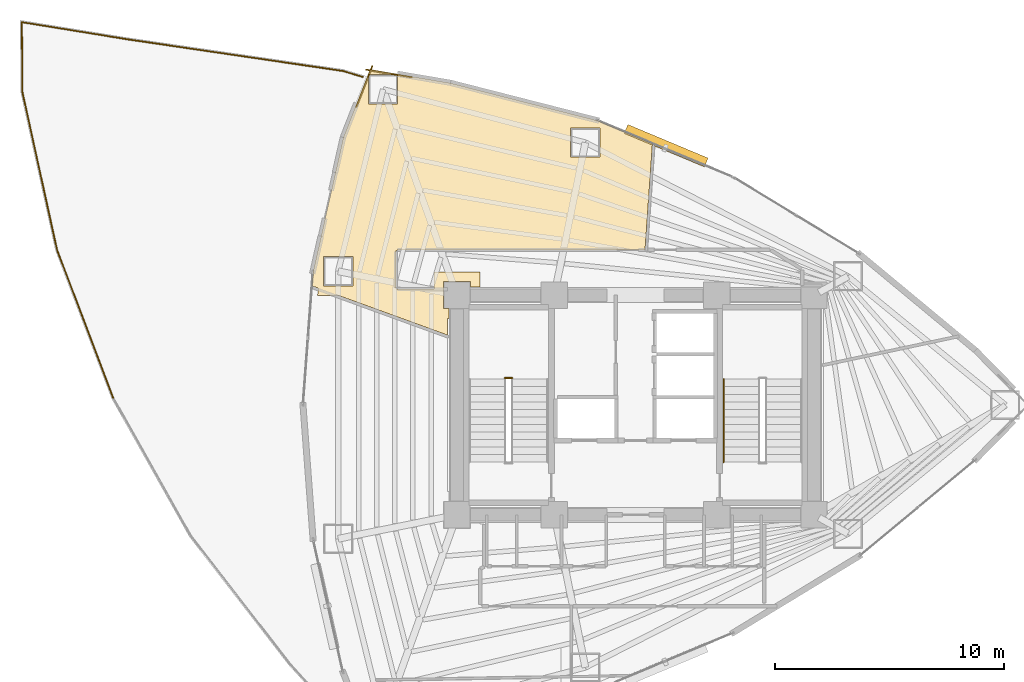
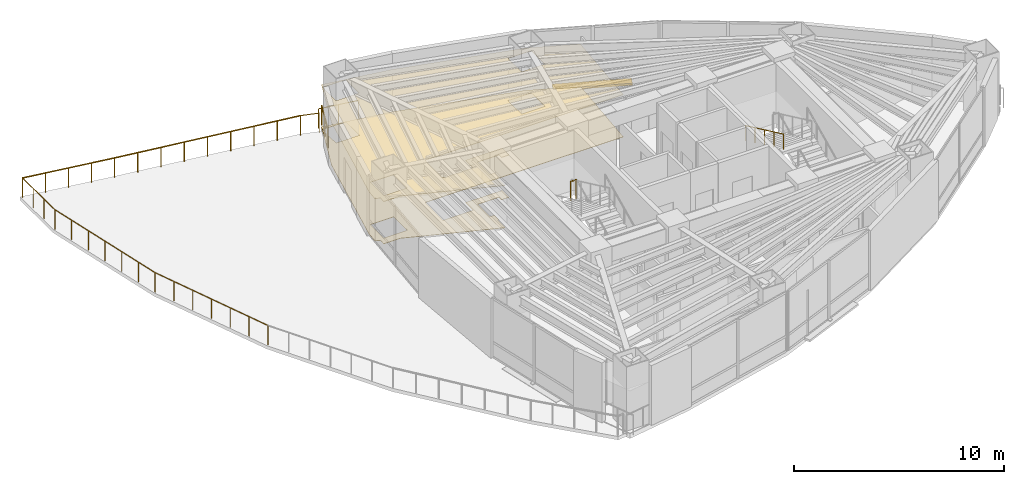
# One storey, part 18 of 19: 10 railings, 2 coverings, 1 shading device.
"""IFC4 building model written with IfcOpenShell, lengths in metres."""

from ifc_helpers import new_model, si_unit, direction, frame, origin, origin_2d, place, context, subcontext, project, spatial, polyline, rectangle, circle, outline, extrude, material, layer, layer_set, type_object, element, save


model = new_model("IFC4")

# Units and contexts
model_context = context("Model", 3, precision=1e-05, world=origin(), true_north=direction((0.0, 1.0)))
body_context = subcontext(model_context, "Body", "Model", "MODEL_VIEW")
ifc_project = project(units=[si_unit("LENGTHUNIT", "METRE"), si_unit("AREAUNIT", "SQUARE_METRE"), si_unit("VOLUMEUNIT", "CUBIC_METRE"), si_unit("PLANEANGLEUNIT", "RADIAN"), si_unit("MASSUNIT", "GRAM", prefix="KILO")], contexts=[model_context])

# Site, building, storey
site_placement = place(None, origin())
site = spatial("IfcSite", under=ifc_project, at=site_placement, CompositionType="ELEMENT")
building_placement = place(site_placement, origin())
building = spatial("IfcBuilding", under=site, at=building_placement, Name="Menara Vayukalpa", CompositionType="ELEMENT")
storey_placement = place(building_placement, frame((0.0, 0.0, 118.860107421875)))
storey = spatial("IfcBuildingStorey", under=building, at=storey_placement, Name="L29", CompositionType="ELEMENT", Elevation=118.860107421875)

# Coverings
ifc_material_1 = material(Name="Mineral Fibre Acoustic Ceiling Tile", Category="masonry")
ifc_layer_1 = layer(ifc_material_1, 0.02490234375)
ifc_layer_set_1 = layer_set([ifc_layer_1], Name="Mineral Fibre Acoustic Ceiling Tile")
covering_type_1 = type_object("IfcCoveringType", Name="COV-CLG1", PredefinedType="CEILING", material=ifc_layer_set_1)
covering_1_placement = place(storey_placement, frame((0.0, 0.0, 2.449951171875)))
element("IfcCovering", 1, at=covering_1_placement, inside=storey, type_object=covering_type_1, Name="L29 Digital Engineering Lab Acoustic Ceiling", PredefinedType="CEILING", context=body_context, shape_type="SweptSolid", body=[
    extrude(outline(polyline([(18.81005859375, 27.14990234375), (18.389892578125, 27.14990234375), (18.389892578125, 27.389892578125), (17.2099609375, 27.389892578125), (17.2099609375, 26.2099609375), (17.449951171875, 26.2099609375), (17.449951171875, 25.7900390625), (17.389892578125, 25.7900390625), (17.389892578125, 25.06640625), (17.389892578125, 25.065185546875), (17.389892578125, 25.064453125), (17.3896484375, 25.0634765625), (17.389404296875, 25.0625), (17.388916015625, 25.061767578125), (17.388427734375, 25.060791015625), (17.3876953125, 25.06005859375), (17.38720703125, 25.059326171875), (17.386474609375, 25.05859375), (17.3857421875, 25.05810546875), (17.385009765625, 25.0576171875), (17.384033203125, 25.05712890625), (17.38330078125, 25.056884765625), (17.382080078125, 25.056640625), (17.38134765625, 25.056396484375), (17.38037109375, 25.056396484375), (17.37939453125, 25.056396484375), (17.37841796875, 25.056396484375), (17.37744140625, 25.056640625), (17.376708984375, 25.056884765625), (12.626708984375, 26.78564453125), (11.7080078125, 26.78564453125), (11.732421875, 27.111328125), (11.475830078125, 27.20458984375), (11.47509765625, 27.205078125), (11.47412109375, 27.20556640625), (11.473388671875, 27.2060546875), (11.472412109375, 27.206787109375), (11.4716796875, 27.20751953125), (11.47119140625, 27.208251953125), (11.470703125, 27.208984375), (11.47021484375, 27.2099609375), (11.4697265625, 27.210693359375), (11.469482421875, 27.2119140625), (11.469482421875, 27.212890625), (11.46923828125, 27.2138671875), (11.46923828125, 27.214599609375), (11.516357421875, 27.843505859375), (11.5166015625, 27.844970703125), (12.831298828125, 33.687744140625), (12.83154296875, 33.6884765625), (12.831787109375, 33.689208984375), (13.997314453125, 36.6572265625), (13.997802734375, 36.658203125), (13.998291015625, 36.658935546875), (13.998779296875, 36.659912109375), (13.99951171875, 36.660400390625), (14.000244140625, 36.6611328125), (14.0009765625, 36.661865234375), (14.001708984375, 36.662353515625), (14.002685546875, 36.66259765625), (14.003662109375, 36.6630859375), (14.00439453125, 36.663330078125), (14.005615234375, 36.66357421875), (14.00634765625, 36.66357421875), (14.00732421875, 36.66357421875), (14.00830078125, 36.66357421875), (17.5078125, 36.0693359375), (17.5087890625, 36.069091796875), (23.903564453125, 34.438232421875), (23.90478515625, 34.437744140625), (26.331787109375, 33.422607421875), (26.33251953125, 33.422119140625), (26.33349609375, 33.421630859375), (26.334228515625, 33.421142578125), (26.3349609375, 33.42041015625), (26.335693359375, 33.419921875), (26.336181640625, 33.4189453125), (26.336669921875, 33.418212890625), (26.337158203125, 33.41748046875), (26.33740234375, 33.41650390625), (26.337646484375, 33.41552734375), (26.337890625, 33.41455078125), (26.337890625, 33.413818359375), (26.337890625, 33.41259765625), (26.013916015625, 28.779296875), (26.013916015625, 28.7783203125), (26.013427734375, 28.77734375), (26.01318359375, 28.7763671875), (26.0126953125, 28.775390625), (26.01220703125, 28.774658203125), (26.01171875, 28.773681640625), (26.010986328125, 28.77294921875), (26.01025390625, 28.7724609375), (26.009521484375, 28.771728515625), (26.0087890625, 28.771240234375), (26.0078125, 28.770751953125), (26.0068359375, 28.7705078125), (26.005859375, 28.770263671875), (26.0048828125, 28.77001953125), (26.00390625, 28.77001953125), (15.2001953125, 28.77001953125), (15.193115234375, 28.76953125), (15.186279296875, 28.768798828125), (15.1796875, 28.76708984375), (15.173095703125, 28.7646484375), (15.1669921875, 28.76171875), (15.1611328125, 28.75830078125), (15.155517578125, 28.75390625), (15.150390625, 28.74951171875), (15.14599609375, 28.744384765625), (15.141845703125, 28.73876953125), (15.13818359375, 28.73291015625), (15.13525390625, 28.726806640625), (15.133056640625, 28.72021484375), (15.13134765625, 28.713623046875), (15.13037109375, 28.706787109375), (15.1298828125, 28.69970703125), (15.1298828125, 27.140380859375), (15.13037109375, 27.13330078125), (15.13134765625, 27.126220703125), (15.133056640625, 27.11962890625), (15.13525390625, 27.11328125), (15.13818359375, 27.10693359375), (15.141845703125, 27.101318359375), (15.14599609375, 27.095458984375), (15.150390625, 27.090576171875), (15.155517578125, 27.0859375), (15.1611328125, 27.081787109375), (15.1669921875, 27.078125), (15.173095703125, 27.0751953125), (15.1796875, 27.072998046875), (15.186279296875, 27.0712890625), (15.193115234375, 27.0703125), (15.2001953125, 27.070068359375), (16.7900390625, 27.070068359375), (16.7900390625, 27.81005859375), (18.81005859375, 27.81005859375), (18.81005859375, 27.14990234375)]), holes=[polyline([(13.24658203125, 28.485595703125), (11.966552734375, 28.485595703125), (11.966552734375, 27.205810546875), (13.24658203125, 27.205810546875), (13.24658203125, 28.485595703125)]), polyline([(15.208984375, 36.4375), (13.92919921875, 36.4375), (13.92919921875, 35.157470703125), (15.208984375, 35.157470703125), (15.208984375, 36.4375)]), polyline([(24.048095703125, 32.827392578125), (24.048095703125, 34.107421875), (22.768310546875, 34.107421875), (22.768310546875, 32.827392578125), (24.048095703125, 32.827392578125)])]), origin(), (0.0, 0.0, 1.0), 0.02490234375),
])
ifc_material_2 = material(Name="Porcelain Stoneware Floor Tile", Category="masonry")
ifc_layer_2 = layer(ifc_material_2, 0.02001953125)
ifc_layer_set_2 = layer_set([ifc_layer_2], Name="Porcelain Stoneware Floor Tile")
covering_type_2 = type_object("IfcCoveringType", Name="COV-FLR1", PredefinedType="FLOORING", material=ifc_layer_set_2)
covering_2_placement = place(storey_placement, origin())
element("IfcCovering", 2, at=covering_2_placement, inside=storey, type_object=covering_type_2, Name="L29 Digital Engineering Lab Porcelain Flooring", PredefinedType="FLOORING", context=body_context, shape_type="SweptSolid", body=[
    extrude(outline(polyline([(18.81005859375, 27.14990234375), (18.389892578125, 27.14990234375), (18.389892578125, 27.389892578125), (17.2099609375, 27.389892578125), (17.2099609375, 26.2099609375), (17.449951171875, 26.2099609375), (17.449951171875, 25.7900390625), (17.389892578125, 25.7900390625), (17.389892578125, 25.06640625), (17.389892578125, 25.065185546875), (17.389892578125, 25.064453125), (17.3896484375, 25.0634765625), (17.389404296875, 25.0625), (17.388916015625, 25.061767578125), (17.388427734375, 25.060791015625), (17.3876953125, 25.06005859375), (17.38720703125, 25.059326171875), (17.386474609375, 25.05859375), (17.3857421875, 25.05810546875), (17.385009765625, 25.0576171875), (17.384033203125, 25.05712890625), (17.38330078125, 25.056884765625), (17.382080078125, 25.056640625), (17.38134765625, 25.056396484375), (17.38037109375, 25.056396484375), (17.37939453125, 25.056396484375), (17.37841796875, 25.056396484375), (17.37744140625, 25.056640625), (17.376708984375, 25.056884765625), (12.626708984375, 26.78564453125), (11.7080078125, 26.78564453125), (11.732421875, 27.111328125), (11.475830078125, 27.20458984375), (11.47509765625, 27.205078125), (11.47412109375, 27.20556640625), (11.473388671875, 27.2060546875), (11.472412109375, 27.206787109375), (11.4716796875, 27.20751953125), (11.47119140625, 27.208251953125), (11.470703125, 27.208984375), (11.47021484375, 27.2099609375), (11.4697265625, 27.210693359375), (11.469482421875, 27.2119140625), (11.469482421875, 27.212890625), (11.46923828125, 27.2138671875), (11.46923828125, 27.214599609375), (11.516357421875, 27.843505859375), (11.5166015625, 27.844970703125), (12.831298828125, 33.687744140625), (12.83154296875, 33.6884765625), (12.831787109375, 33.689208984375), (13.997314453125, 36.6572265625), (13.997802734375, 36.658203125), (13.998291015625, 36.658935546875), (13.998779296875, 36.659912109375), (13.99951171875, 36.660400390625), (14.000244140625, 36.6611328125), (14.0009765625, 36.661865234375), (14.001708984375, 36.662353515625), (14.002685546875, 36.66259765625), (14.003662109375, 36.6630859375), (14.00439453125, 36.663330078125), (14.005615234375, 36.66357421875), (14.00634765625, 36.66357421875), (14.00732421875, 36.66357421875), (14.00830078125, 36.66357421875), (17.5078125, 36.0693359375), (17.5087890625, 36.069091796875), (23.903564453125, 34.438232421875), (23.90478515625, 34.437744140625), (26.331787109375, 33.422607421875), (26.33251953125, 33.422119140625), (26.33349609375, 33.421630859375), (26.334228515625, 33.421142578125), (26.3349609375, 33.42041015625), (26.335693359375, 33.419921875), (26.336181640625, 33.4189453125), (26.336669921875, 33.418212890625), (26.337158203125, 33.41748046875), (26.33740234375, 33.41650390625), (26.337646484375, 33.41552734375), (26.337890625, 33.41455078125), (26.337890625, 33.413818359375), (26.337890625, 33.41259765625), (26.013916015625, 28.779296875), (26.013916015625, 28.7783203125), (26.013427734375, 28.77734375), (26.01318359375, 28.7763671875), (26.0126953125, 28.775390625), (26.01220703125, 28.774658203125), (26.01171875, 28.773681640625), (26.010986328125, 28.77294921875), (26.01025390625, 28.7724609375), (26.009521484375, 28.771728515625), (26.0087890625, 28.771240234375), (26.0078125, 28.770751953125), (26.0068359375, 28.7705078125), (26.005859375, 28.770263671875), (26.0048828125, 28.77001953125), (26.00390625, 28.77001953125), (15.2001953125, 28.77001953125), (15.193115234375, 28.76953125), (15.186279296875, 28.768798828125), (15.1796875, 28.76708984375), (15.173095703125, 28.7646484375), (15.1669921875, 28.76171875), (15.1611328125, 28.75830078125), (15.155517578125, 28.75390625), (15.150390625, 28.74951171875), (15.14599609375, 28.744384765625), (15.141845703125, 28.73876953125), (15.13818359375, 28.73291015625), (15.13525390625, 28.726806640625), (15.133056640625, 28.72021484375), (15.13134765625, 28.713623046875), (15.13037109375, 28.706787109375), (15.1298828125, 28.69970703125), (15.1298828125, 27.140380859375), (15.13037109375, 27.13330078125), (15.13134765625, 27.126220703125), (15.133056640625, 27.11962890625), (15.13525390625, 27.11328125), (15.13818359375, 27.10693359375), (15.141845703125, 27.101318359375), (15.14599609375, 27.095458984375), (15.150390625, 27.090576171875), (15.155517578125, 27.0859375), (15.1611328125, 27.081787109375), (15.1669921875, 27.078125), (15.173095703125, 27.0751953125), (15.1796875, 27.072998046875), (15.186279296875, 27.0712890625), (15.193115234375, 27.0703125), (15.2001953125, 27.070068359375), (16.7900390625, 27.070068359375), (16.7900390625, 27.81005859375), (18.81005859375, 27.81005859375), (18.81005859375, 27.14990234375)]), holes=[polyline([(13.24658203125, 28.485595703125), (11.966552734375, 28.485595703125), (11.966552734375, 27.205810546875), (13.24658203125, 27.205810546875), (13.24658203125, 28.485595703125)]), polyline([(15.208984375, 36.4375), (13.92919921875, 36.4375), (13.92919921875, 35.157470703125), (15.208984375, 35.157470703125), (15.208984375, 36.4375)]), polyline([(24.048095703125, 32.827392578125), (24.048095703125, 34.107421875), (22.768310546875, 34.107421875), (22.768310546875, 32.827392578125), (24.048095703125, 32.827392578125)])]), origin(), (0.0, 0.0, 1.0), 0.019775390625),
])

# Railings
ifc_material_3 = material(Name="Laminated Glass and Stainless Steel 316 Guardrail", Category="steel")
railing_type_1 = type_object("IfcRailingType", Name="RLG-EXT115", PredefinedType="GUARDRAIL", material=ifc_material_3)
railing_1_placement = place(storey_placement, frame((2.7734375, 22.314697265625, 0.0)))
element("IfcRailing", 3, at=railing_1_placement, inside=storey, type_object=railing_type_1, Name="L29 Sky Terrace Perimeter Guardrail 04", PredefinedType="GUARDRAIL", context=body_context, shape_type="SweptSolid", body=[
    extrude(circle(Radius=0.02392578125, at=origin_2d()), frame((0.0, 0.0, 1.1259765625), z_axis=(-0.354750019627, 0.934961188272, 0.0), x_axis=(-0.934961188272, -0.354750019627, 0.0)), (0.0, 0.0, 1.0), 6.9150390625),
    extrude(circle(Radius=0.02099609375, at=origin_2d()), origin(), (0.0, 0.0, 1.0), 1.101806640625),
    extrude(circle(Radius=0.02099609375, at=origin_2d()), frame((-0.408935546875, 1.07763671875, 0.0)), (0.0, 0.0, 1.0), 1.101806640625),
    extrude(circle(Radius=0.02099609375, at=origin_2d()), frame((-0.817626953125, 2.155029296875, 0.0)), (0.0, 0.0, 1.0), 1.101806640625),
    extrude(circle(Radius=0.02099609375, at=origin_2d()), frame((-1.2265625, 3.232666015625, 0.0)), (0.0, 0.0, 1.0), 1.101806640625),
    extrude(circle(Radius=0.02099609375, at=origin_2d()), frame((-1.635498046875, 4.310302734375, 0.0)), (0.0, 0.0, 1.0), 1.101806640625),
    extrude(circle(Radius=0.02099609375, at=origin_2d()), frame((-2.044189453125, 5.3876953125, 0.0)), (0.0, 0.0, 1.0), 1.101806640625),
    extrude(circle(Radius=0.02099609375, at=origin_2d()), frame((-2.453125, 6.46533203125, 0.0)), (0.0, 0.0, 1.0), 1.101806640625),
])
railing_2_placement = place(storey_placement, frame((0.3203125, 28.780029296875, 0.0)))
element("IfcRailing", 4, at=railing_2_placement, inside=storey, type_object=railing_type_1, Name="L29 Sky Terrace Perimeter Guardrail 05", PredefinedType="GUARDRAIL", context=body_context, shape_type="SweptSolid", body=[
    extrude(circle(Radius=0.02392578125, at=origin_2d()), frame((0.0, 0.0, 1.1259765625), z_axis=(-0.214493318835, 0.976725455886, 0.0), x_axis=(-0.976725455886, -0.214493318835, 0.0)), (0.0, 0.0, 1.0), 7.066162109375),
    extrude(circle(Radius=0.02099609375, at=origin_2d()), origin(), (0.0, 0.0, 1.0), 1.101806640625),
    extrude(circle(Radius=0.02099609375, at=origin_2d()), frame((-0.252685546875, 1.150390625, 0.0)), (0.0, 0.0, 1.0), 1.101806640625),
    extrude(circle(Radius=0.02099609375, at=origin_2d()), frame((-0.505126953125, 2.300537109375, 0.0)), (0.0, 0.0, 1.0), 1.101806640625),
    extrude(circle(Radius=0.02099609375, at=origin_2d()), frame((-0.7578125, 3.45068359375, 0.0)), (0.0, 0.0, 1.0), 1.101806640625),
    extrude(circle(Radius=0.02099609375, at=origin_2d()), frame((-1.010498046875, 4.60107421875, 0.0)), (0.0, 0.0, 1.0), 1.101806640625),
    extrude(circle(Radius=0.02099609375, at=origin_2d()), frame((-1.262939453125, 5.75146484375, 0.0)), (0.0, 0.0, 1.0), 1.101806640625),
    extrude(circle(Radius=0.02099609375, at=origin_2d()), frame((-1.515625, 6.901611328125, 0.0)), (0.0, 0.0, 1.0), 1.101806640625),
])
railing_3_placement = place(storey_placement, frame((-1.1953125, 35.681640625, 0.0)))
element("IfcRailing", 5, at=railing_3_placement, inside=storey, type_object=railing_type_1, Name="L29 Sky Terrace Perimeter Guardrail 06", PredefinedType="GUARDRAIL", context=body_context, shape_type="SweptSolid", body=[
    extrude(circle(Radius=0.02392578125, at=origin_2d()), frame((0.0, 0.0, 1.1259765625), z_axis=(-0.007365103251, 0.999972877259, 0.0), x_axis=(-0.999972877259, -0.007365103251, 0.0)), (0.0, 0.0, 1.0), 3.049560546875),
    extrude(circle(Radius=0.02099609375, at=origin_2d()), origin(), (0.0, 0.0, 1.0), 1.101806640625),
    extrude(circle(Radius=0.02099609375, at=origin_2d()), frame((-0.007568359375, 1.0166015625, 0.0)), (0.0, 0.0, 1.0), 1.101806640625),
    extrude(circle(Radius=0.02099609375, at=origin_2d()), frame((-0.014892578125, 2.032958984375, 0.0)), (0.0, 0.0, 1.0), 1.101806640625),
    extrude(circle(Radius=0.02099609375, at=origin_2d()), frame((-0.0224609375, 3.049560546875, 0.0)), (0.0, 0.0, 1.0), 1.101806640625),
])
railing_4_placement = place(storey_placement, frame((-1.2177734375, 38.731201171875, 0.0)))
element("IfcRailing", 6, at=railing_4_placement, inside=storey, type_object=railing_type_1, Name="L29 Sky Terrace Perimeter Guardrail 07", PredefinedType="GUARDRAIL", context=body_context, shape_type="SweptSolid", body=[
    extrude(circle(Radius=0.02392578125, at=origin_2d()), frame((0.0, 0.0, 1.1259765625), z_axis=(0.98706801367, -0.160302016176, 0.0), x_axis=(0.160302016176, 0.98706801367, 0.0)), (0.0, 0.0, 1.0), 4.6787109375),
    extrude(circle(Radius=0.02099609375, at=origin_2d()), origin(), (0.0, 0.0, 1.0), 1.101806640625),
    extrude(circle(Radius=0.02099609375, at=origin_2d()), frame((1.154541015625, -0.1875, 0.0)), (0.0, 0.0, 1.0), 1.101806640625),
    extrude(circle(Radius=0.02099609375, at=origin_2d()), frame((2.30908203125, -0.375, 0.0)), (0.0, 0.0, 1.0), 1.101806640625),
    extrude(circle(Radius=0.02099609375, at=origin_2d()), frame((3.463623046875, -0.5625, 0.0)), (0.0, 0.0, 1.0), 1.101806640625),
    extrude(circle(Radius=0.02099609375, at=origin_2d()), frame((4.6181640625, -0.75, 0.0)), (0.0, 0.0, 1.0), 1.101806640625),
])
railing_5_placement = place(storey_placement, frame((3.401611328125, 37.981201171875, 0.0)))
element("IfcRailing", 7, at=railing_5_placement, inside=storey, type_object=railing_type_1, Name="L29 Sky Terrace Perimeter Guardrail 08", PredefinedType="GUARDRAIL", context=body_context, shape_type="SweptSolid", body=[
    extrude(circle(Radius=0.02392578125, at=origin_2d()), frame((0.0, 0.0, 1.1259765625), z_axis=(0.989364242229, -0.145459259585, 0.0), x_axis=(0.145459259585, 0.989364242229, 0.0)), (0.0, 0.0, 1.0), 9.511474609375),
    extrude(circle(Radius=0.02099609375, at=origin_2d()), origin(), (0.0, 0.0, 1.0), 1.101806640625),
    extrude(circle(Radius=0.02099609375, at=origin_2d()), frame((1.17626953125, -0.1728515625, 0.0)), (0.0, 0.0, 1.0), 1.101806640625),
    extrude(circle(Radius=0.02099609375, at=origin_2d()), frame((2.3525390625, -0.345947265625, 0.0)), (0.0, 0.0, 1.0), 1.101806640625),
    extrude(circle(Radius=0.02099609375, at=origin_2d()), frame((3.52880859375, -0.518798828125, 0.0)), (0.0, 0.0, 1.0), 1.101806640625),
    extrude(circle(Radius=0.02099609375, at=origin_2d()), frame((4.705078125, -0.69189453125, 0.0)), (0.0, 0.0, 1.0), 1.101806640625),
    extrude(circle(Radius=0.02099609375, at=origin_2d()), frame((5.881591796875, -0.86474609375, 0.0)), (0.0, 0.0, 1.0), 1.101806640625),
    extrude(circle(Radius=0.02099609375, at=origin_2d()), frame((7.057861328125, -1.03759765625, 0.0)), (0.0, 0.0, 1.0), 1.101806640625),
    extrude(circle(Radius=0.02099609375, at=origin_2d()), frame((8.234130859375, -1.210693359375, 0.0)), (0.0, 0.0, 1.0), 1.101806640625),
    extrude(circle(Radius=0.02099609375, at=origin_2d()), frame((9.410400390625, -1.383544921875, 0.0)), (0.0, 0.0, 1.0), 1.101806640625),
])
railing_6_placement = place(storey_placement, frame((12.81201171875, 36.59765625, 0.0)))
element("IfcRailing", 8, at=railing_6_placement, inside=storey, type_object=railing_type_1, Name="L29 Sky Terrace Perimeter Guardrail 09", PredefinedType="GUARDRAIL", context=body_context, shape_type="SweptSolid", body=[
    extrude(circle(Radius=0.02392578125, at=origin_2d()), frame((0.0, 0.0, 1.1259765625), z_axis=(0.957539269444, -0.288302874547, 0.0), x_axis=(0.288302874547, 0.957539269444, 0.0)), (0.0, 0.0, 1.0), 0.91455078125),
    extrude(circle(Radius=0.02099609375, at=origin_2d()), origin(), (0.0, 0.0, 1.0), 1.101806640625),
    extrude(circle(Radius=0.02099609375, at=origin_2d()), frame((0.875732421875, -0.263671875, 0.0)), (0.0, 0.0, 1.0), 1.101806640625),
])
railing_7_placement = place(storey_placement, frame((15.818359375, 36.315673828125, 0.0)))
element("IfcRailing", 9, at=railing_7_placement, inside=storey, type_object=railing_type_1, Name="L29 Column Corner Spandrel Guardrail 07-1", PredefinedType="GUARDRAIL", context=body_context, shape_type="SweptSolid", body=[
    extrude(circle(Radius=0.02392578125, at=origin_2d()), frame((0.0, 0.0, 1.1259765625), z_axis=(-0.985895977605, 0.16735925831, 0.0), x_axis=(-0.16735925831, -0.985895977605, 0.0)), (0.0, 0.0, 1.0), 2.01904296875),
    extrude(circle(Radius=0.02099609375, at=origin_2d()), origin(), (0.0, 0.0, 1.0), 1.101806640625),
    extrude(circle(Radius=0.02099609375, at=origin_2d()), frame((-0.9951171875, 0.1689453125, 0.0)), (0.0, 0.0, 1.0), 1.101806640625),
    extrude(circle(Radius=0.02099609375, at=origin_2d()), frame((-1.990478515625, 0.337890625, 0.0)), (0.0, 0.0, 1.0), 1.101806640625),
])
railing_8_placement = place(storey_placement, frame((14.09912109375, 36.806640625, 0.0)))
element("IfcRailing", 10, at=railing_8_placement, inside=storey, type_object=railing_type_1, Name="L29 Column Corner Spandrel Guardrail 08-1", PredefinedType="GUARDRAIL", context=body_context, shape_type="SweptSolid", body=[
    extrude(circle(Radius=0.02392578125, at=origin_2d()), frame((0.0, 0.0, 1.1259765625), z_axis=(-0.365573386764, -0.930782519652, 0.0), x_axis=(0.930782519652, -0.365573386764, 0.0)), (0.0, 0.0, 1.0), 1.91259765625),
    extrude(circle(Radius=0.02099609375, at=origin_2d()), origin(), (0.0, 0.0, 1.0), 1.101806640625),
    extrude(circle(Radius=0.02099609375, at=origin_2d()), frame((-0.349609375, -0.89013671875, 0.0)), (0.0, 0.0, 1.0), 1.101806640625),
    extrude(circle(Radius=0.02099609375, at=origin_2d()), frame((-0.69921875, -1.7802734375, 0.0)), (0.0, 0.0, 1.0), 1.101806640625),
])
ifc_material_4 = material(Name="Powder-Coated Galvanised Steel Guardrail", Category="steel")
railing_type_2 = type_object("IfcRailingType", Name="RLG-STG110", PredefinedType="GUARDRAIL", material=ifc_material_4)
railing_9_placement = place(storey_placement, frame((20.2099609375, 23.179931640625, 1.85986328125)))
element("IfcRailing", 11, at=railing_9_placement, inside=storey, type_object=railing_type_2, Name="L29 ST-1 stair guard 2", PredefinedType="GUARDRAIL", context=body_context, shape_type="SweptSolid", body=[
    extrude(circle(Radius=0.02392578125, at=origin_2d()), frame((0.0, 0.0, 1.09619140625), z_axis=(-1.0, 0.0, 0.0), x_axis=(0.0, -1.0, 0.0)), (0.0, 0.0, 1.0), 0.320068359375),
    extrude(circle(Radius=0.02099609375, at=origin_2d()), origin(), (0.0, 0.0, 1.0), 1.072021484375),
    extrude(circle(Radius=0.02099609375, at=origin_2d()), frame((-0.320068359375, 0.0, 0.0)), (0.0, 0.0, 1.0), 1.072021484375),
])
ifc_material_5 = material(Name="Stainless Steel 316 Tubular Handrail", Category="steel")
railing_type_3 = type_object("IfcRailingType", Name="RLG-STH090", PredefinedType="HANDRAIL", material=ifc_material_5)
railing_10_placement = place(storey_placement, frame((29.449951171875, 23.1298828125, 2.014892578125)))
element("IfcRailing", 12, at=railing_10_placement, inside=storey, type_object=railing_type_3, Name="L29 ST-2 stair handrail 2", PredefinedType="HANDRAIL", context=body_context, shape_type="SweptSolid", body=[
    extrude(circle(Radius=0.02392578125, at=origin_2d()), frame((0.0, 0.0, 0.8759765625), z_axis=(0.0, -0.90511648382, 0.425163675209), x_axis=(1.0, 0.0, 0.0)), (0.0, 0.0, 1.0), 4.010498046875),
    extrude(circle(Radius=0.02099609375, at=origin_2d()), origin(), (0.0, 0.0, 1.0), 0.851806640625),
    extrude(circle(Radius=0.02099609375, at=origin_2d()), frame((0.0, -0.907470703125, 0.42626953125)), (0.0, 0.0, 1.0), 0.851806640625),
    extrude(circle(Radius=0.02099609375, at=origin_2d()), frame((0.0, -1.81494140625, 0.8525390625)), (0.0, 0.0, 1.0), 0.851806640625),
    extrude(circle(Radius=0.02099609375, at=origin_2d()), frame((0.0, -2.722412109375, 1.27880859375)), (0.0, 0.0, 1.0), 0.851806640625),
    extrude(circle(Radius=0.02099609375, at=origin_2d()), frame((0.0, -3.6298828125, 1.705078125)), (0.0, 0.0, 1.0), 0.851806640625),
])

# Shading device
ifc_material_6 = material(Name="Glazed Terracotta Ceramic Baguette Extrusion", Category="masonry")
ifc_layer_3 = layer(ifc_material_6, 0.1201171875)
ifc_layer_set_3 = layer_set([ifc_layer_3], Name="Glazed Terracotta Ceramic Baguette Extrusion")
shading_device_type = type_object("IfcShadingDeviceType", Name="SHD-SS1", PredefinedType="USERDEFINED", material=ifc_layer_set_3)
shading_device_placement = place(storey_placement, frame((26.940673828125, 33.33056640625, -0.10009765625), z_axis=(0.0, 0.0, 1.0), x_axis=(-0.922544824647, 0.385889940938, 0.0)))
element("IfcShadingDevice", 13, at=shading_device_placement, inside=storey, type_object=shading_device_type, Name="L29 Horizontal Terracotta Sunshade Band 05", ObjectType="SUNSHADE", PredefinedType="USERDEFINED", context=body_context, shape_type="SweptSolid", body=[
    extrude(rectangle(XDim=3.800048828125, YDim=0.419921875, at=origin_2d()), origin(), (0.0, 0.0, 1.0), 0.1201171875),
])

save(model, "model.ifc")
